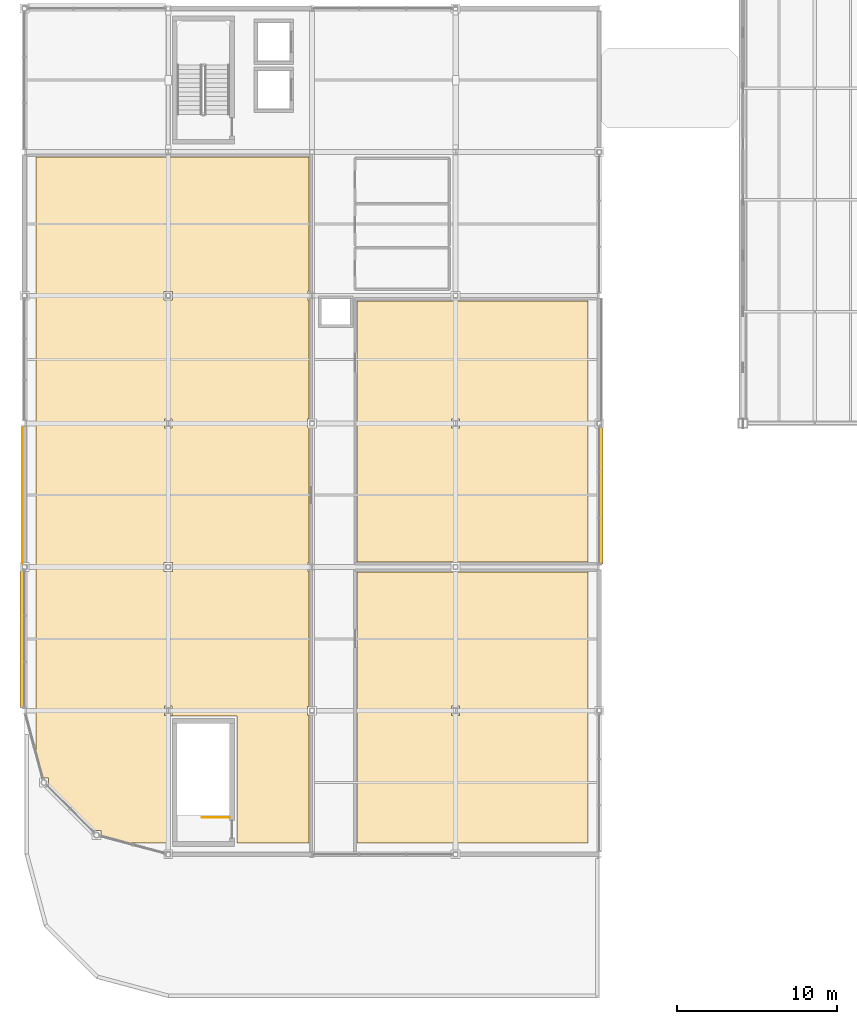
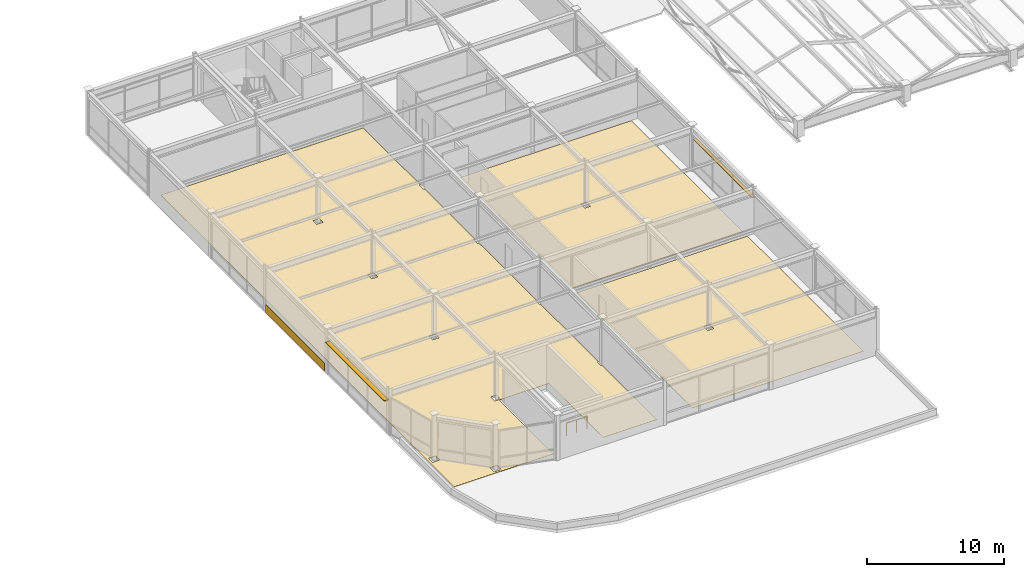
# One storey, part 93 of 108: 4 coverings, 2 shading devices, 1 railing.
"""IFC4 building model written with IfcOpenShell, lengths in metres."""

from ifc_helpers import new_model, si_unit, direction, frame, origin, origin_2d, place, context, subcontext, project, spatial, polyline, rectangle, circle, outline, extrude, material, layer, layer_set, material_profile, profile_set, type_object, element, save


model = new_model("IFC4")

# Units and contexts
model_context = context("Model", 3, precision=1e-05, world=origin(), true_north=direction((0.0, 1.0)))
body_context = subcontext(model_context, "Body", "Model", "MODEL_VIEW")
ifc_project = project(units=[si_unit("LENGTHUNIT", "METRE"), si_unit("AREAUNIT", "SQUARE_METRE"), si_unit("VOLUMEUNIT", "CUBIC_METRE"), si_unit("PLANEANGLEUNIT", "RADIAN"), si_unit("MASSUNIT", "GRAM", prefix="KILO")], contexts=[model_context])

# Site, building, storey
site_placement = place(None, origin())
site = spatial("IfcSite", under=ifc_project, at=site_placement, CompositionType="ELEMENT")
building_placement = place(site_placement, origin())
building = spatial("IfcBuilding", under=site, at=building_placement, Name="Suzunagisa Mobility Hub", CompositionType="ELEMENT")
storey_placement = place(building_placement, frame((0.0, 0.0, 9.300048828125)))
storey = spatial("IfcBuildingStorey", under=building, at=storey_placement, Name="L02", CompositionType="ELEMENT", Elevation=9.300048828125)

# Railing
ifc_material_1 = material(Name="Stainless Steel SUS304", Category="metal")
railing_type = type_object("IfcRailingType", Name="Interior Well Guardrail IGR-01", PredefinedType="GUARDRAIL", material=ifc_material_1)
railing_placement = place(storey_placement, frame((12.840087890625, 11.31005859375, 0.0)))
element("IfcRailing", 1, at=railing_placement, inside=storey, type_object=railing_type, Name="L02 ST-02 top well guard 1", PredefinedType="GUARDRAIL", context=body_context, shape_type="SweptSolid", body=[
    extrude(circle(Radius=0.02392578125, at=origin_2d()), frame((0.0, 0.0, 1.09619140625), z_axis=(-1.0, 0.0, 0.0), x_axis=(0.0, -1.0, 0.0)), (0.0, 0.0, 1.0), 1.719970703125),
    extrude(circle(Radius=0.02099609375, at=origin_2d()), origin(), (0.0, 0.0, 1.0), 1.072021484375),
    extrude(circle(Radius=0.02099609375, at=origin_2d()), frame((-0.85986328125, 0.0, 0.0)), (0.0, 0.0, 1.0), 1.072021484375),
    extrude(circle(Radius=0.02099609375, at=origin_2d()), frame((-1.719970703125, 0.0, 0.0)), (0.0, 0.0, 1.0), 1.072021484375),
])

# Coverings
ifc_material_2 = material(Name="Polished Aggregate Terrazzo Finish")
ifc_layer_1 = layer(ifc_material_2, 0.02001953125)
ifc_layer_set_1 = layer_set([ifc_layer_1], Name="Polished Aggregate Terrazzo Finish")
covering_type_1 = type_object("IfcCoveringType", Name="Polished Terrazzo Heavy-Traffic Flooring FLR-01", PredefinedType="FLOORING", material=ifc_layer_set_1)
covering_1_placement = place(storey_placement, origin())
element("IfcCovering", 2, at=covering_1_placement, inside=storey, type_object=covering_type_1, Name="L02 Long-Stay Commuter Bicycle Storage Gallery L02 Terrazzo Flooring", PredefinedType="FLOORING", context=body_context, shape_type="SweptSolid", body=[
    extrude(outline(polyline([(0.719970703125, 9.719970703125), (0.719970703125, 52.679931640625), (17.830078125, 52.679931640625), (17.830078125, 44.2900390625), (17.7548828125, 44.2900390625), (17.7548828125, 43.7099609375), (17.830078125, 43.7099609375), (17.830078125, 36.27001953125), (17.72998046875, 36.27001953125), (17.72998046875, 35.72998046875), (17.830078125, 35.72998046875), (17.830078125, 27.2900390625), (17.7548828125, 27.2900390625), (17.7548828125, 26.7099609375), (17.830078125, 26.7099609375), (17.830078125, 18.27001953125), (17.72998046875, 18.27001953125), (17.72998046875, 17.72998046875), (17.830078125, 17.72998046875), (17.830078125, 9.719970703125), (13.300048828125, 9.719970703125), (13.300048828125, 17.659912109375), (9.10009765625, 17.659912109375), (9.10009765625, 9.719970703125), (0.719970703125, 9.719970703125)]), holes=[polyline([(0.907958984375, 13.2021484375), (1.503662109375, 13.2021484375), (1.503662109375, 13.7978515625), (0.907958984375, 13.7978515625), (0.907958984375, 13.2021484375)]), polyline([(4.2021484375, 10.503662109375), (4.2021484375, 9.907958984375), (4.7978515625, 9.907958984375), (4.7978515625, 10.503662109375), (4.2021484375, 10.503662109375)]), polyline([(9.2451171875, 18.2900390625), (8.7548828125, 18.2900390625), (8.7548828125, 17.7099609375), (9.2451171875, 17.7099609375), (9.2451171875, 18.2900390625)]), polyline([(9.27001953125, 26.72998046875), (9.27001953125, 27.27001953125), (8.72998046875, 27.27001953125), (8.72998046875, 26.72998046875), (9.27001953125, 26.72998046875)]), polyline([(8.7548828125, 35.7099609375), (9.2451171875, 35.7099609375), (9.2451171875, 36.2900390625), (8.7548828125, 36.2900390625), (8.7548828125, 35.7099609375)]), polyline([(8.72998046875, 44.27001953125), (8.72998046875, 43.72998046875), (9.27001953125, 43.72998046875), (9.27001953125, 44.27001953125), (8.72998046875, 44.27001953125)])]), origin(), (0.0, 0.0, 1.0), 0.02001953125),
])
covering_2_placement = place(storey_placement, origin())
element("IfcCovering", 3, at=covering_2_placement, inside=storey, type_object=covering_type_1, Name="L02 Cyclist Co-Working and Refreshment Lounge L02 Terrazzo Flooring", PredefinedType="FLOORING", context=body_context, shape_type="SweptSolid", body=[
    extrude(outline(polyline([(35.280029296875, 26.679931640625), (35.280029296875, 9.719970703125), (20.820068359375, 9.719970703125), (20.820068359375, 26.679931640625), (35.280029296875, 26.679931640625)]), holes=[polyline([(27.2451171875, 18.2900390625), (26.7548828125, 18.2900390625), (26.7548828125, 17.7099609375), (27.2451171875, 17.7099609375), (27.2451171875, 18.2900390625)])]), origin(), (0.0, 0.0, 1.0), 0.02001953125),
])
covering_3_placement = place(storey_placement, origin())
element("IfcCovering", 4, at=covering_3_placement, inside=storey, type_object=covering_type_1, Name="L02 Micro-Mobility Battery Swap and Leasing Studio Terrazzo Flooring", PredefinedType="FLOORING", context=body_context, shape_type="SweptSolid", body=[
    extrude(outline(polyline([(35.280029296875, 27.320068359375), (20.820068359375, 27.320068359375), (20.820068359375, 43.679931640625), (35.280029296875, 43.679931640625), (35.280029296875, 27.320068359375)]), holes=[polyline([(27.2451171875, 36.2900390625), (26.7548828125, 36.2900390625), (26.7548828125, 35.7099609375), (27.2451171875, 35.7099609375), (27.2451171875, 36.2900390625)])]), origin(), (0.0, 0.0, 1.0), 0.02001953125),
])
ifc_material_3 = material(Name="Vitreous Porcelain Enamel Aluminum Cladding", Category="aluminium")
ifc_layer_2 = layer(ifc_material_3, 0.034912109375)
ifc_layer_set_2 = layer_set([ifc_layer_2], Name="Vitreous Porcelain Enamel Aluminum Cladding")
covering_type_2 = type_object("IfcCoveringType", Name="Porcelain Enamel Spandrel Cladding Band CLD-01", PredefinedType="CLADDING", material=ifc_layer_set_2)
covering_4_placement = place(storey_placement, frame((-0.137451171875, 31.489990234375, 0.06005859375), z_axis=(0.0, 0.0, 1.0), x_axis=(0.0, -1.0, 0.0)))
element("IfcCovering", 5, at=covering_4_placement, inside=storey, type_object=covering_type_2, Name="L02 Porcelain Spandrel Cladding Band CLD-6", PredefinedType="CLADDING", context=body_context, shape_type="SweptSolid", body=[
    extrude(rectangle(XDim=8.580078125, YDim=0.034912109375, at=origin_2d()), origin(), (0.0, 0.0, 1.0), 0.719970703125),
])

# Shading devices
ifc_material_4 = material(Name="Fluoropolymer-Coated Extruded Aluminum 6063-T5", Category="aluminium")
ifc_material_profile_1 = material_profile(ifc_material_4, rectangle(XDim=0.280029296875, YDim=0.044921875, at=origin_2d()), Name="FIN-280x45")
ifc_profile_set_1 = profile_set([ifc_material_profile_1], Name="Fluoropolymer-Coated Extruded Aluminum 6063-T5")
shading_device_type_1 = type_object("IfcShadingDeviceType", Name="Streamline Aluminum Sunshade SF-02 FIN-280x45", PredefinedType="JALOUSIE", material=ifc_profile_set_1)
shading_device_1_placement = place(storey_placement, frame((36.107421875, 27.199951171875, 2.8818359375), z_axis=(0.0, 1.0, 0.0), x_axis=(-1.0, 0.0, 0.0)))
element("IfcShadingDevice", 6, at=shading_device_1_placement, inside=storey, type_object=shading_device_type_1, Name="L02 Streamline Speed-Rail Sunshade Fin SF-6", PredefinedType="JALOUSIE", context=body_context, shape_type="SweptSolid", body=[
    extrude(rectangle(XDim=0.280029296875, YDim=0.044921875, at=origin_2d()), origin(), (0.0, 0.0, 1.0), 8.6201171875),
])
ifc_material_profile_2 = material_profile(ifc_material_4, rectangle(XDim=0.360107421875, YDim=0.050048828125, at=origin_2d()), Name="FIN-360x50")
ifc_profile_set_2 = profile_set([ifc_material_profile_2], Name="Fluoropolymer-Coated Extruded Aluminum 6063-T5")
shading_device_type_2 = type_object("IfcShadingDeviceType", Name="Streamline Aluminum Sunshade SF-04 FIN-360x50", PredefinedType="USERDEFINED", material=ifc_profile_set_2)
shading_device_2_placement = place(storey_placement, frame((-0.110107421875, 26.820068359375, 2.8818359375), z_axis=(0.0, -1.0, 0.0), x_axis=(1.0, 0.0, 0.0)))
element("IfcShadingDevice", 7, at=shading_device_2_placement, inside=storey, type_object=shading_device_type_2, Name="L02 Streamline Speed-Rail Sunshade Fin SF-8", ObjectType="SUNSHADE FIN", PredefinedType="USERDEFINED", context=body_context, shape_type="SweptSolid", body=[
    extrude(rectangle(XDim=0.360107421875, YDim=0.050048828125, at=origin_2d()), origin(), (0.0, 0.0, 1.0), 8.6201171875),
])

save(model, "model.ifc")
